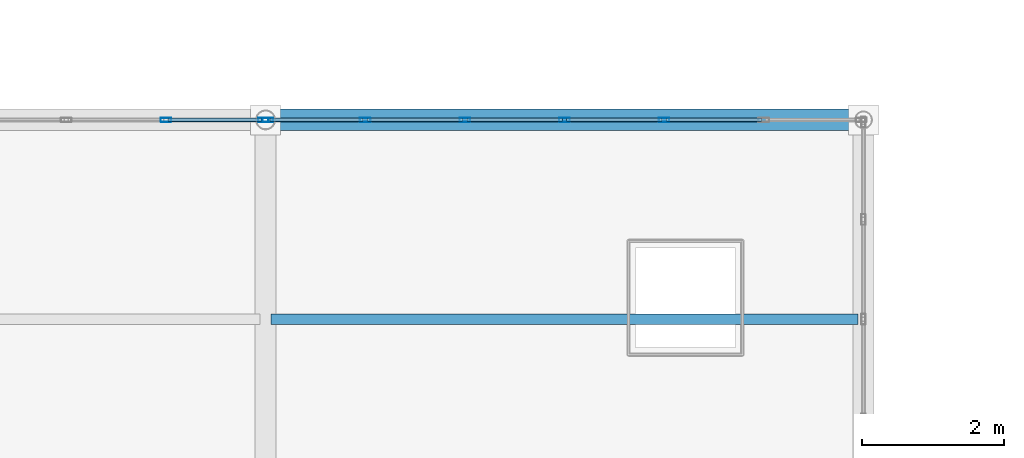
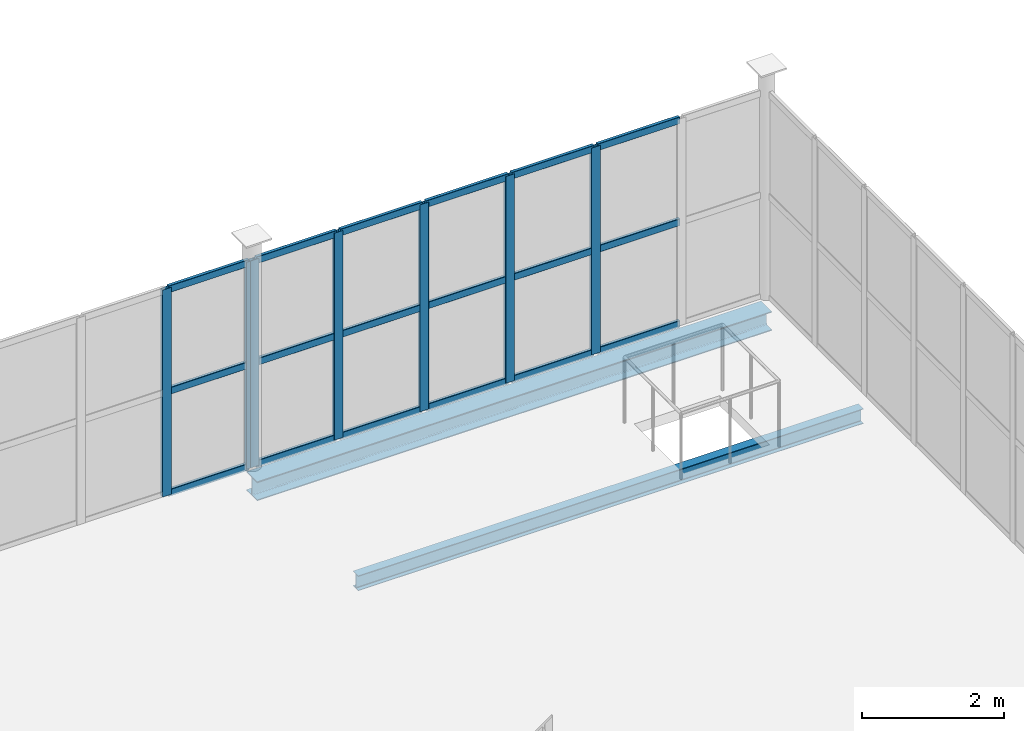
# One storey, part 85 of 163: 25 members, 2 beams, 2 elements without a shape of their own.
"""IFC4 building model written with IfcOpenShell, lengths in metres."""

from ifc_helpers import new_model, si_unit, direction, frame, origin, origin_2d, place, context, subcontext, project, spatial, hollow_rectangle, i_section, extrude, material, layer, layer_set, material_profile, profile_set, type_object, element, aggregate, save


model = new_model("IFC4")

# Units and contexts
model_context = context("Model", 3, precision=1e-05, world=origin(), true_north=direction((0.0, 1.0)))
body_context = subcontext(model_context, "Body", "Model", "MODEL_VIEW")
ifc_project = project(units=[si_unit("LENGTHUNIT", "METRE"), si_unit("AREAUNIT", "SQUARE_METRE"), si_unit("VOLUMEUNIT", "CUBIC_METRE"), si_unit("PLANEANGLEUNIT", "RADIAN"), si_unit("MASSUNIT", "GRAM", prefix="KILO")], contexts=[model_context])

# Site, building, storey
site_placement = place(None, origin())
site = spatial("IfcSite", under=ifc_project, at=site_placement, CompositionType="ELEMENT")
building_placement = place(site_placement, origin())
building = spatial("IfcBuilding", under=site, at=building_placement, Name="Qalvenar Corner Mobility Hub", CompositionType="ELEMENT")
storey_placement = place(building_placement, frame((0.0, 0.0, 4.800048828125)))
storey = spatial("IfcBuildingStorey", under=building, at=storey_placement, Name="L01", CompositionType="ELEMENT", Elevation=4.800048828125)

# Beams
ifc_material_1 = material(Name="Steel S355", Category="steel")
ifc_material_profile_1 = material_profile(ifc_material_1, i_section(OverallWidth=0.14599609375, OverallDepth=0.258056640625, WebThickness=0.006103515625, FlangeThickness=0.009033203125, FilletRadius=0.011962890625, at=origin_2d()), Name="W250x32.7")
ifc_profile_set_1 = profile_set([ifc_material_profile_1], Name="Steel S355")
beam_type_1 = type_object("IfcBeamType", Name="BM-JST250", PredefinedType="JOIST", material=ifc_profile_set_1)
beam_1_placement = place(storey_placement, frame((25.278076171875, 89.60009765625, -0.30908203125), z_axis=(1.0, 0.0, 0.0), x_axis=(0.0, 1.0, 0.0)))
element("IfcBeam", 1, at=beam_1_placement, inside=storey, type_object=beam_type_1, Name="Composite Floor Joist J-1255", PredefinedType="JOIST", context=body_context, shape_type="SweptSolid", body=[
    extrude(i_section(OverallWidth=0.14599609375, OverallDepth=0.258056640625, WebThickness=0.006103515625, FlangeThickness=0.009033203125, FilletRadius=0.011962890625, at=origin_2d()), origin(), (0.0, 0.0, 1.0), 8.243896484375),
])
ifc_material_profile_2 = material_profile(ifc_material_1, i_section(OverallWidth=0.300048828125, OverallDepth=0.330078125, WebThickness=0.009521484375, FlangeThickness=0.0166015625, FilletRadius=0.027099609375, at=origin_2d()), Name="HEA340")
ifc_profile_set_2 = profile_set([ifc_material_profile_2], Name="Steel S355")
beam_type_2 = type_object("IfcBeamType", Name="BM-SPN340", PredefinedType="SPANDREL", material=ifc_profile_set_2)
beam_2_placement = place(storey_placement, frame((25.199951171875, 92.39990234375, -0.344970703125), z_axis=(1.0, 0.0, 0.0), x_axis=(0.0, 1.0, 0.0)))
element("IfcBeam", 2, at=beam_2_placement, inside=storey, type_object=beam_type_2, Name="Primary Steel Girder GX-1179", PredefinedType="SPANDREL", context=body_context, shape_type="SweptSolid", body=[
    extrude(i_section(OverallWidth=0.300048828125, OverallDepth=0.330078125, WebThickness=0.009521484375, FlangeThickness=0.0166015625, FilletRadius=0.027099609375, at=origin_2d()), origin(), (0.0, 0.0, 1.0), 8.400146484375),
])

# Curtain wall, members
ifc_material_2 = material(Name="Anodised Aluminium and Low-E Glazing", Category="aluminium")
ifc_layer = layer(ifc_material_2, 0.14990234375)
ifc_layer_set = layer_set([ifc_layer], Name="Anodised Aluminium and Low-E Glazing")
curtain_wall_type = type_object("IfcCurtainWallType", Name="CW-CYC-84X39", PredefinedType="NOTDEFINED", material=ifc_layer_set)
curtain_wall_1_placement = place(storey_placement, origin())
curtain_wall_1 = element("IfcCurtainWall", 3, at=curtain_wall_1_placement, inside=storey, type_object=curtain_wall_type, Name="Glazed Curtain Wall CW-V5-L01-N2", PredefinedType="NOTDEFINED")
ifc_material_3 = material(Name="Anodised Aluminium 6063-T6", Category="aluminium")
ifc_material_profile_3 = material_profile(ifc_material_3, hollow_rectangle(XDim=0.06005859375, YDim=0.14990234375, WallThickness=0.00390625, InnerFilletRadius=0.00390625, OuterFilletRadius=0.008056640625, at=origin_2d()), Name="RHS150x60x4")
ifc_profile_set_3 = profile_set([ifc_material_profile_3], Name="Anodised Aluminium 6063-T6")
member_type_1 = type_object("IfcMemberType", Name="CW-MUL150", PredefinedType="MULLION", material=ifc_profile_set_3)
member_1_placement = place(storey_placement, frame((25.169921875, 92.39990234375, 0.0), z_axis=(0.0, 0.0, 1.0), x_axis=(0.0, -1.0, 0.0)))
member_1 = element("IfcMember", 4, at=member_1_placement, type_object=member_type_1, Name="CW-08 mullion 1", PredefinedType="MULLION", context=body_context, shape_type="SweptSolid", body=[
    extrude(hollow_rectangle(XDim=0.06005859375, YDim=0.14990234375, WallThickness=0.00390625, InnerFilletRadius=0.00390625, OuterFilletRadius=0.008056640625, at=origin_2d()), origin(), (0.0, 0.0, 1.0), 3.570068359375),
])
member_2_placement = place(storey_placement, frame((23.800048828125, 92.39990234375, 0.0), z_axis=(0.0, 0.0, 1.0), x_axis=(0.0, -1.0, 0.0)))
member_2 = element("IfcMember", 5, at=member_2_placement, type_object=member_type_1, Name="CW-08 mullion 2", PredefinedType="MULLION", context=body_context, shape_type="SweptSolid", body=[
    extrude(hollow_rectangle(XDim=0.06005859375, YDim=0.14990234375, WallThickness=0.00390625, InnerFilletRadius=0.00390625, OuterFilletRadius=0.008056640625, at=origin_2d()), origin(), (0.0, 0.0, 1.0), 3.570068359375),
])

curtain_wall_2_placement = place(storey_placement, origin())
curtain_wall_2 = element("IfcCurtainWall", 6, at=curtain_wall_2_placement, inside=storey, type_object=curtain_wall_type, Name="Glazed Curtain Wall CW-V5-L01-N3", PredefinedType="NOTDEFINED")
member_3_placement = place(storey_placement, frame((30.800048828125, 92.39990234375, 0.0), z_axis=(0.0, 0.0, 1.0), x_axis=(0.0, -1.0, 0.0)))
member_3 = element("IfcMember", 7, at=member_3_placement, type_object=member_type_1, Name="CW-08 mullion 3", PredefinedType="MULLION", context=body_context, shape_type="SweptSolid", body=[
    extrude(hollow_rectangle(XDim=0.06005859375, YDim=0.14990234375, WallThickness=0.00390625, InnerFilletRadius=0.00390625, OuterFilletRadius=0.008056640625, at=origin_2d()), origin(), (0.0, 0.0, 1.0), 3.570068359375),
])
member_4_placement = place(storey_placement, frame((29.39990234375, 92.39990234375, 0.0), z_axis=(0.0, 0.0, 1.0), x_axis=(0.0, -1.0, 0.0)))
member_4 = element("IfcMember", 8, at=member_4_placement, type_object=member_type_1, Name="CW-08 mullion 4", PredefinedType="MULLION", context=body_context, shape_type="SweptSolid", body=[
    extrude(hollow_rectangle(XDim=0.06005859375, YDim=0.14990234375, WallThickness=0.00390625, InnerFilletRadius=0.00390625, OuterFilletRadius=0.008056640625, at=origin_2d()), origin(), (0.0, 0.0, 1.0), 3.570068359375),
])
member_5_placement = place(storey_placement, frame((28.0, 92.39990234375, 0.0), z_axis=(0.0, 0.0, 1.0), x_axis=(0.0, -1.0, 0.0)))
member_5 = element("IfcMember", 9, at=member_5_placement, type_object=member_type_1, Name="CW-08 mullion 5", PredefinedType="MULLION", context=body_context, shape_type="SweptSolid", body=[
    extrude(hollow_rectangle(XDim=0.06005859375, YDim=0.14990234375, WallThickness=0.00390625, InnerFilletRadius=0.00390625, OuterFilletRadius=0.008056640625, at=origin_2d()), origin(), (0.0, 0.0, 1.0), 3.570068359375),
])
member_6_placement = place(storey_placement, frame((26.60009765625, 92.39990234375, 0.0), z_axis=(0.0, 0.0, 1.0), x_axis=(0.0, -1.0, 0.0)))
member_6 = element("IfcMember", 10, at=member_6_placement, type_object=member_type_1, Name="CW-08 mullion 6", PredefinedType="MULLION", context=body_context, shape_type="SweptSolid", body=[
    extrude(hollow_rectangle(XDim=0.06005859375, YDim=0.14990234375, WallThickness=0.00390625, InnerFilletRadius=0.00390625, OuterFilletRadius=0.008056640625, at=origin_2d()), origin(), (0.0, 0.0, 1.0), 3.570068359375),
])
member_7_placement = place(storey_placement, frame((25.22998046875, 92.39990234375, 0.0), z_axis=(0.0, 0.0, 1.0), x_axis=(0.0, -1.0, 0.0)))
member_7 = element("IfcMember", 11, at=member_7_placement, type_object=member_type_1, Name="CW-08 mullion 7", PredefinedType="MULLION", context=body_context, shape_type="SweptSolid", body=[
    extrude(hollow_rectangle(XDim=0.06005859375, YDim=0.14990234375, WallThickness=0.00390625, InnerFilletRadius=0.00390625, OuterFilletRadius=0.008056640625, at=origin_2d()), origin(), (0.0, 0.0, 1.0), 3.570068359375),
])

# Member
ifc_material_profile_4 = material_profile(ifc_material_3, hollow_rectangle(XDim=0.054931640625, YDim=0.1201171875, WallThickness=0.00341796875, InnerFilletRadius=0.00341796875, OuterFilletRadius=0.007080078125, at=origin_2d()), Name="RHS120x55x3.5")
ifc_profile_set_4 = profile_set([ifc_material_profile_4], Name="Anodised Aluminium 6063-T6")
member_type_2 = type_object("IfcMemberType", Name="CW-TRN120", PredefinedType="USERDEFINED", material=ifc_profile_set_4)
member_8_placement = place(storey_placement, frame((25.139892578125, 92.39990234375, 0.02734375), z_axis=(-1.0, 0.0, 0.0), x_axis=(0.0, -1.0, 0.0)))
member_8 = element("IfcMember", 12, at=member_8_placement, type_object=member_type_2, Name="CW-08 transom 1.1", ObjectType="TRANSOM", PredefinedType="USERDEFINED", context=body_context, shape_type="SweptSolid", body=[
    extrude(hollow_rectangle(XDim=0.054931640625, YDim=0.1201171875, WallThickness=0.00341796875, InnerFilletRadius=0.00341796875, OuterFilletRadius=0.007080078125, at=origin_2d()), origin(), (0.0, 0.0, 1.0), 1.309814453125),
])

member_9_placement = place(storey_placement, frame((25.139892578125, 92.39990234375, 1.784912109375), z_axis=(-1.0, 0.0, 0.0), x_axis=(0.0, -1.0, 0.0)))
member_9 = element("IfcMember", 13, at=member_9_placement, type_object=member_type_2, Name="CW-08 transom 1.2", ObjectType="TRANSOM", PredefinedType="USERDEFINED", context=body_context, shape_type="SweptSolid", body=[
    extrude(hollow_rectangle(XDim=0.054931640625, YDim=0.1201171875, WallThickness=0.00341796875, InnerFilletRadius=0.00341796875, OuterFilletRadius=0.007080078125, at=origin_2d()), origin(), (0.0, 0.0, 1.0), 1.309814453125),
])

member_10_placement = place(storey_placement, frame((25.139892578125, 92.39990234375, 3.54248046875), z_axis=(-1.0, 0.0, 0.0), x_axis=(0.0, -1.0, 0.0)))
member_10 = element("IfcMember", 14, at=member_10_placement, type_object=member_type_2, Name="CW-08 transom 1.3", ObjectType="TRANSOM", PredefinedType="USERDEFINED", context=body_context, shape_type="SweptSolid", body=[
    extrude(hollow_rectangle(XDim=0.054931640625, YDim=0.1201171875, WallThickness=0.00341796875, InnerFilletRadius=0.00341796875, OuterFilletRadius=0.007080078125, at=origin_2d()), origin(), (0.0, 0.0, 1.0), 1.309814453125),
])

aggregate(curtain_wall_1, [member_1, member_2, member_8, member_9, member_10])

member_11_placement = place(storey_placement, frame((32.169921875, 92.39990234375, 0.02734375), z_axis=(-1.0, 0.0, 0.0), x_axis=(0.0, -1.0, 0.0)))
member_11 = element("IfcMember", 15, at=member_11_placement, type_object=member_type_2, Name="CW-08 transom 2.1", ObjectType="TRANSOM", PredefinedType="USERDEFINED", context=body_context, shape_type="SweptSolid", body=[
    extrude(hollow_rectangle(XDim=0.054931640625, YDim=0.1201171875, WallThickness=0.00341796875, InnerFilletRadius=0.00341796875, OuterFilletRadius=0.007080078125, at=origin_2d()), origin(), (0.0, 0.0, 1.0), 1.33984375),
])

member_12_placement = place(storey_placement, frame((32.169921875, 92.39990234375, 1.784912109375), z_axis=(-1.0, 0.0, 0.0), x_axis=(0.0, -1.0, 0.0)))
member_12 = element("IfcMember", 16, at=member_12_placement, type_object=member_type_2, Name="CW-08 transom 2.2", ObjectType="TRANSOM", PredefinedType="USERDEFINED", context=body_context, shape_type="SweptSolid", body=[
    extrude(hollow_rectangle(XDim=0.054931640625, YDim=0.1201171875, WallThickness=0.00341796875, InnerFilletRadius=0.00341796875, OuterFilletRadius=0.007080078125, at=origin_2d()), origin(), (0.0, 0.0, 1.0), 1.33984375),
])

member_13_placement = place(storey_placement, frame((32.169921875, 92.39990234375, 3.54248046875), z_axis=(-1.0, 0.0, 0.0), x_axis=(0.0, -1.0, 0.0)))
member_13 = element("IfcMember", 17, at=member_13_placement, type_object=member_type_2, Name="CW-08 transom 2.3", ObjectType="TRANSOM", PredefinedType="USERDEFINED", context=body_context, shape_type="SweptSolid", body=[
    extrude(hollow_rectangle(XDim=0.054931640625, YDim=0.1201171875, WallThickness=0.00341796875, InnerFilletRadius=0.00341796875, OuterFilletRadius=0.007080078125, at=origin_2d()), origin(), (0.0, 0.0, 1.0), 1.33984375),
])

member_14_placement = place(storey_placement, frame((30.77001953125, 92.39990234375, 0.02734375), z_axis=(-1.0, 0.0, 0.0), x_axis=(0.0, -1.0, 0.0)))
member_14 = element("IfcMember", 18, at=member_14_placement, type_object=member_type_2, Name="CW-08 transom 3.1", ObjectType="TRANSOM", PredefinedType="USERDEFINED", context=body_context, shape_type="SweptSolid", body=[
    extrude(hollow_rectangle(XDim=0.054931640625, YDim=0.1201171875, WallThickness=0.00341796875, InnerFilletRadius=0.00341796875, OuterFilletRadius=0.007080078125, at=origin_2d()), origin(), (0.0, 0.0, 1.0), 1.340087890625),
])

member_15_placement = place(storey_placement, frame((30.77001953125, 92.39990234375, 1.784912109375), z_axis=(-1.0, 0.0, 0.0), x_axis=(0.0, -1.0, 0.0)))
member_15 = element("IfcMember", 19, at=member_15_placement, type_object=member_type_2, Name="CW-08 transom 3.2", ObjectType="TRANSOM", PredefinedType="USERDEFINED", context=body_context, shape_type="SweptSolid", body=[
    extrude(hollow_rectangle(XDim=0.054931640625, YDim=0.1201171875, WallThickness=0.00341796875, InnerFilletRadius=0.00341796875, OuterFilletRadius=0.007080078125, at=origin_2d()), origin(), (0.0, 0.0, 1.0), 1.340087890625),
])

member_16_placement = place(storey_placement, frame((30.77001953125, 92.39990234375, 3.54248046875), z_axis=(-1.0, 0.0, 0.0), x_axis=(0.0, -1.0, 0.0)))
member_16 = element("IfcMember", 20, at=member_16_placement, type_object=member_type_2, Name="CW-08 transom 3.3", ObjectType="TRANSOM", PredefinedType="USERDEFINED", context=body_context, shape_type="SweptSolid", body=[
    extrude(hollow_rectangle(XDim=0.054931640625, YDim=0.1201171875, WallThickness=0.00341796875, InnerFilletRadius=0.00341796875, OuterFilletRadius=0.007080078125, at=origin_2d()), origin(), (0.0, 0.0, 1.0), 1.340087890625),
])

member_17_placement = place(storey_placement, frame((29.3701171875, 92.39990234375, 0.02734375), z_axis=(-1.0, 0.0, 0.0), x_axis=(0.0, -1.0, 0.0)))
member_17 = element("IfcMember", 21, at=member_17_placement, type_object=member_type_2, Name="CW-08 transom 4.1", ObjectType="TRANSOM", PredefinedType="USERDEFINED", context=body_context, shape_type="SweptSolid", body=[
    extrude(hollow_rectangle(XDim=0.054931640625, YDim=0.1201171875, WallThickness=0.00341796875, InnerFilletRadius=0.00341796875, OuterFilletRadius=0.007080078125, at=origin_2d()), origin(), (0.0, 0.0, 1.0), 1.340087890625),
])

member_18_placement = place(storey_placement, frame((29.3701171875, 92.39990234375, 1.784912109375), z_axis=(-1.0, 0.0, 0.0), x_axis=(0.0, -1.0, 0.0)))
member_18 = element("IfcMember", 22, at=member_18_placement, type_object=member_type_2, Name="CW-08 transom 4.2", ObjectType="TRANSOM", PredefinedType="USERDEFINED", context=body_context, shape_type="SweptSolid", body=[
    extrude(hollow_rectangle(XDim=0.054931640625, YDim=0.1201171875, WallThickness=0.00341796875, InnerFilletRadius=0.00341796875, OuterFilletRadius=0.007080078125, at=origin_2d()), origin(), (0.0, 0.0, 1.0), 1.340087890625),
])

member_19_placement = place(storey_placement, frame((29.3701171875, 92.39990234375, 3.54248046875), z_axis=(-1.0, 0.0, 0.0), x_axis=(0.0, -1.0, 0.0)))
member_19 = element("IfcMember", 23, at=member_19_placement, type_object=member_type_2, Name="CW-08 transom 4.3", ObjectType="TRANSOM", PredefinedType="USERDEFINED", context=body_context, shape_type="SweptSolid", body=[
    extrude(hollow_rectangle(XDim=0.054931640625, YDim=0.1201171875, WallThickness=0.00341796875, InnerFilletRadius=0.00341796875, OuterFilletRadius=0.007080078125, at=origin_2d()), origin(), (0.0, 0.0, 1.0), 1.340087890625),
])

member_20_placement = place(storey_placement, frame((27.969970703125, 92.39990234375, 0.02734375), z_axis=(-1.0, 0.0, 0.0), x_axis=(0.0, -1.0, 0.0)))
member_20 = element("IfcMember", 24, at=member_20_placement, type_object=member_type_2, Name="CW-08 transom 5.1", ObjectType="TRANSOM", PredefinedType="USERDEFINED", context=body_context, shape_type="SweptSolid", body=[
    extrude(hollow_rectangle(XDim=0.054931640625, YDim=0.1201171875, WallThickness=0.00341796875, InnerFilletRadius=0.00341796875, OuterFilletRadius=0.007080078125, at=origin_2d()), origin(), (0.0, 0.0, 1.0), 1.340087890625),
])

member_21_placement = place(storey_placement, frame((27.969970703125, 92.39990234375, 1.784912109375), z_axis=(-1.0, 0.0, 0.0), x_axis=(0.0, -1.0, 0.0)))
member_21 = element("IfcMember", 25, at=member_21_placement, type_object=member_type_2, Name="CW-08 transom 5.2", ObjectType="TRANSOM", PredefinedType="USERDEFINED", context=body_context, shape_type="SweptSolid", body=[
    extrude(hollow_rectangle(XDim=0.054931640625, YDim=0.1201171875, WallThickness=0.00341796875, InnerFilletRadius=0.00341796875, OuterFilletRadius=0.007080078125, at=origin_2d()), origin(), (0.0, 0.0, 1.0), 1.340087890625),
])

member_22_placement = place(storey_placement, frame((27.969970703125, 92.39990234375, 3.54248046875), z_axis=(-1.0, 0.0, 0.0), x_axis=(0.0, -1.0, 0.0)))
member_22 = element("IfcMember", 26, at=member_22_placement, type_object=member_type_2, Name="CW-08 transom 5.3", ObjectType="TRANSOM", PredefinedType="USERDEFINED", context=body_context, shape_type="SweptSolid", body=[
    extrude(hollow_rectangle(XDim=0.054931640625, YDim=0.1201171875, WallThickness=0.00341796875, InnerFilletRadius=0.00341796875, OuterFilletRadius=0.007080078125, at=origin_2d()), origin(), (0.0, 0.0, 1.0), 1.340087890625),
])

member_23_placement = place(storey_placement, frame((26.570068359375, 92.39990234375, 0.02734375), z_axis=(-1.0, 0.0, 0.0), x_axis=(0.0, -1.0, 0.0)))
member_23 = element("IfcMember", 27, at=member_23_placement, type_object=member_type_2, Name="CW-08 transom 6.1", ObjectType="TRANSOM", PredefinedType="USERDEFINED", context=body_context, shape_type="SweptSolid", body=[
    extrude(hollow_rectangle(XDim=0.054931640625, YDim=0.1201171875, WallThickness=0.00341796875, InnerFilletRadius=0.00341796875, OuterFilletRadius=0.007080078125, at=origin_2d()), origin(), (0.0, 0.0, 1.0), 1.31005859375),
])

member_24_placement = place(storey_placement, frame((26.570068359375, 92.39990234375, 1.784912109375), z_axis=(-1.0, 0.0, 0.0), x_axis=(0.0, -1.0, 0.0)))
member_24 = element("IfcMember", 28, at=member_24_placement, type_object=member_type_2, Name="CW-08 transom 6.2", ObjectType="TRANSOM", PredefinedType="USERDEFINED", context=body_context, shape_type="SweptSolid", body=[
    extrude(hollow_rectangle(XDim=0.054931640625, YDim=0.1201171875, WallThickness=0.00341796875, InnerFilletRadius=0.00341796875, OuterFilletRadius=0.007080078125, at=origin_2d()), origin(), (0.0, 0.0, 1.0), 1.31005859375),
])

member_25_placement = place(storey_placement, frame((26.570068359375, 92.39990234375, 3.54248046875), z_axis=(-1.0, 0.0, 0.0), x_axis=(0.0, -1.0, 0.0)))
member_25 = element("IfcMember", 29, at=member_25_placement, type_object=member_type_2, Name="CW-08 transom 6.3", ObjectType="TRANSOM", PredefinedType="USERDEFINED", context=body_context, shape_type="SweptSolid", body=[
    extrude(hollow_rectangle(XDim=0.054931640625, YDim=0.1201171875, WallThickness=0.00341796875, InnerFilletRadius=0.00341796875, OuterFilletRadius=0.007080078125, at=origin_2d()), origin(), (0.0, 0.0, 1.0), 1.31005859375),
])

aggregate(curtain_wall_2, [member_3, member_4, member_5, member_6, member_7, member_11, member_12, member_13, member_14, member_15, member_16, member_17, member_18, member_19, member_20, member_21, member_22, member_23, member_24, member_25])

save(model, "model.ifc")
